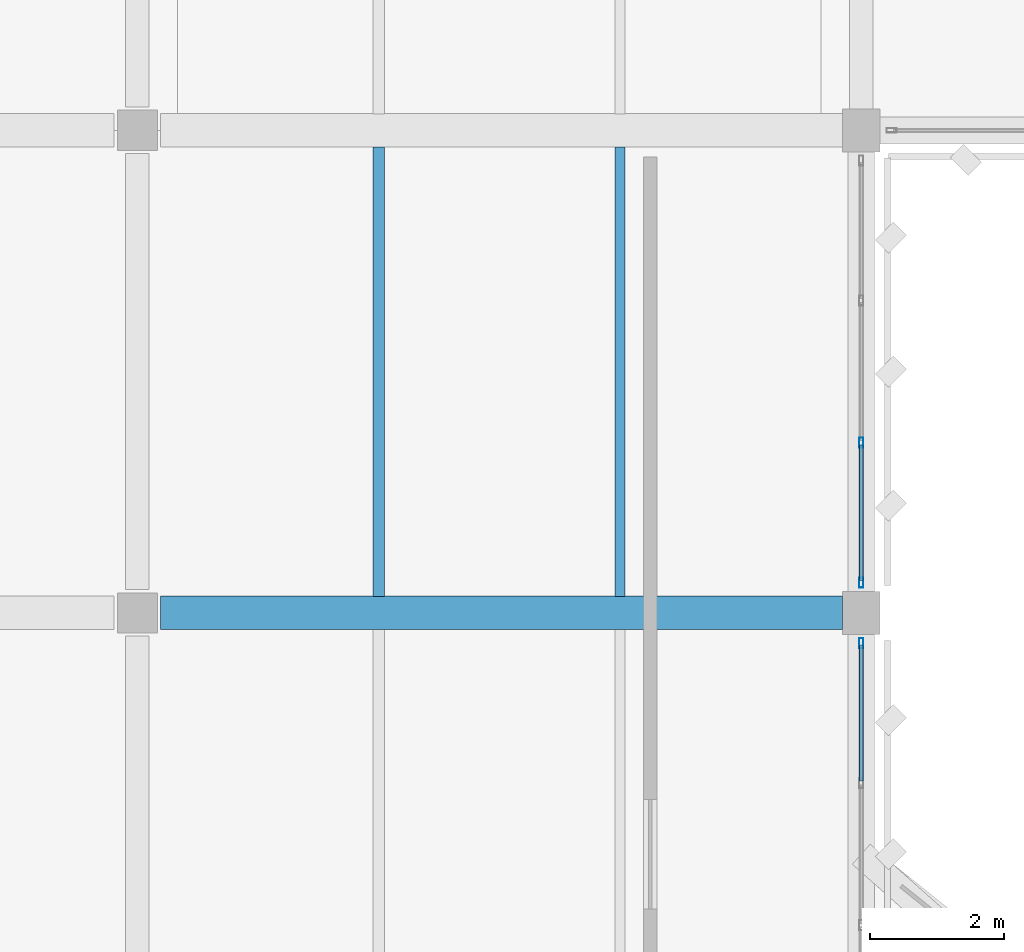
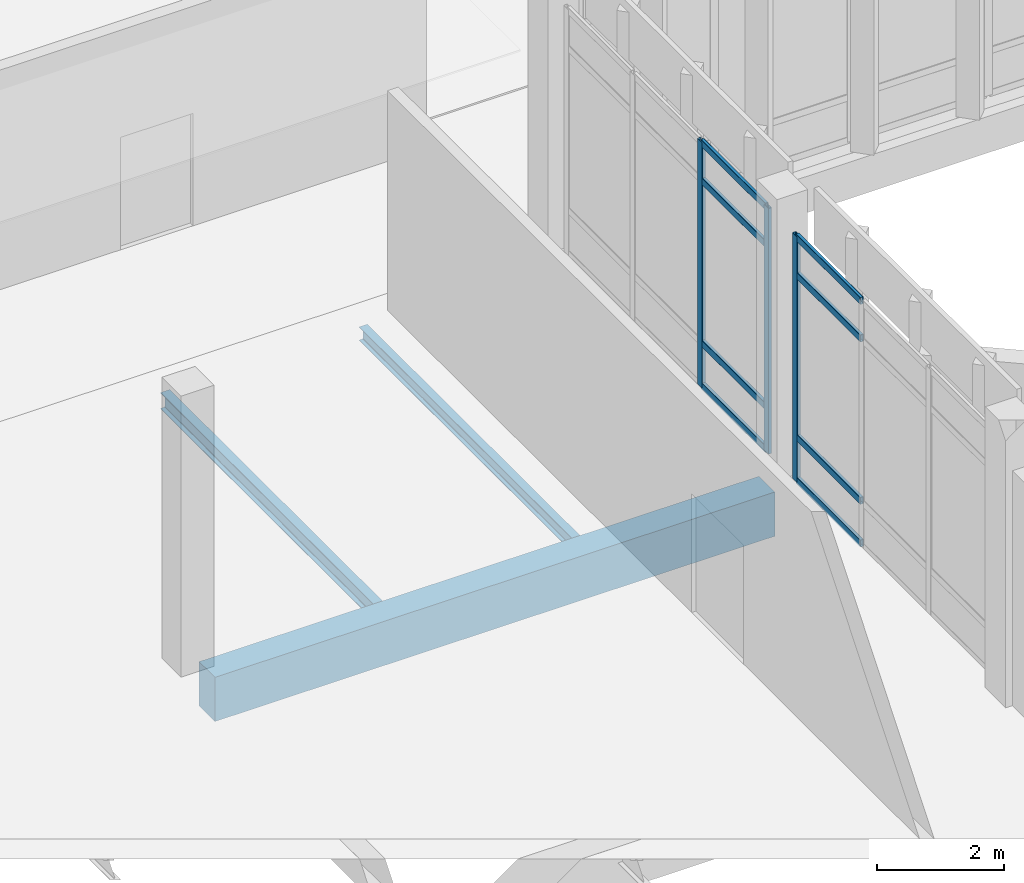
# One storey, part 63 of 180: 11 members, 3 beams, 2 elements without a shape of their own.
"""IFC4 building model written with IfcOpenShell, lengths in metres."""

from ifc_helpers import new_model, si_unit, direction, frame, origin, origin_2d, place, context, subcontext, project, spatial, rectangle, hollow_rectangle, i_section, extrude, material, material_profile, profile_set, type_object, element, aggregate, save


model = new_model("IFC4")

# Units and contexts
model_context = context("Model", 3, precision=1e-05, world=origin(), true_north=direction((0.0, 1.0)))
body_context = subcontext(model_context, "Body", "Model", "MODEL_VIEW")
ifc_project = project(units=[si_unit("LENGTHUNIT", "METRE"), si_unit("AREAUNIT", "SQUARE_METRE"), si_unit("VOLUMEUNIT", "CUBIC_METRE"), si_unit("PLANEANGLEUNIT", "RADIAN"), si_unit("MASSUNIT", "GRAM", prefix="KILO")], contexts=[model_context])

# Site, building, storey
site_placement = place(None, origin())
site = spatial("IfcSite", under=ifc_project, at=site_placement, CompositionType="ELEMENT")
building_placement = place(site_placement, origin())
building = spatial("IfcBuilding", under=site, at=building_placement, Name="Lusvemor Sports Hall", CompositionType="ELEMENT")
storey_placement = place(building_placement, frame((0.0, 0.0, 5.39990234375)))
storey = spatial("IfcBuildingStorey", under=building, at=storey_placement, Name="L01", CompositionType="ELEMENT", Elevation=5.39990234375)

# Curtain wall, member
ifc_material_1 = material(Name="Thermally broken bronze-anodized aluminium", Category="aluminium")
curtain_wall_type = type_object("IfcCurtainWallType", Name="CW_WING_B", PredefinedType="NOTDEFINED", material=ifc_material_1)
curtain_wall_1_placement = place(storey_placement, origin())
curtain_wall_1 = element("IfcCurtainWall", 1, at=curtain_wall_1_placement, inside=storey, type_object=curtain_wall_type, Name="Curtain Wall CW-L01-E-4-5", PredefinedType="NOTDEFINED")
ifc_material_2 = material(Name="Thermally broken bronze-anodized aluminium", Category="aluminium")
ifc_material_profile_1 = material_profile(ifc_material_2, hollow_rectangle(XDim=0.06494140625, YDim=0.14990234375, WallThickness=0.00390625, InnerFilletRadius=0.00390625, OuterFilletRadius=0.008056640625, at=origin_2d()), Name="CWMUL150x65x4")
ifc_profile_set_1 = profile_set([ifc_material_profile_1], Name="Thermally broken bronze-anodized aluminium")
member_type_1 = type_object("IfcMemberType", Name="CW_MUL_B", PredefinedType="MULLION", material=ifc_profile_set_1)
member_1_placement = place(storey_placement, frame((21.60009765625, 89.547607421875, 0.0), z_axis=(0.0, 0.0, 1.0), x_axis=(1.0, 0.0, 0.0)))
member_1 = element("IfcMember", 2, at=member_1_placement, type_object=member_type_1, Name="CW02 mullion 1", PredefinedType="MULLION", context=body_context, shape_type="SweptSolid", body=[
    extrude(hollow_rectangle(XDim=0.06494140625, YDim=0.14990234375, WallThickness=0.00390625, InnerFilletRadius=0.00390625, OuterFilletRadius=0.008056640625, at=origin_2d()), origin(), (0.0, 0.0, 1.0), 4.72021484375),
])

# Curtain wall, members
curtain_wall_2_placement = place(storey_placement, origin())
curtain_wall_2 = element("IfcCurtainWall", 3, at=curtain_wall_2_placement, inside=storey, type_object=curtain_wall_type, Name="Curtain Wall CW-L01-E-4-6", PredefinedType="NOTDEFINED")
member_2_placement = place(storey_placement, frame((21.60009765625, 92.5400390625, 0.0), z_axis=(0.0, 0.0, 1.0), x_axis=(1.0, 0.0, 0.0)))
member_2 = element("IfcMember", 4, at=member_2_placement, type_object=member_type_1, Name="CW02 mullion 3", PredefinedType="MULLION", context=body_context, shape_type="SweptSolid", body=[
    extrude(hollow_rectangle(XDim=0.06494140625, YDim=0.14990234375, WallThickness=0.00390625, InnerFilletRadius=0.00390625, OuterFilletRadius=0.008056640625, at=origin_2d()), origin(), (0.0, 0.0, 1.0), 4.72021484375),
])
member_3_placement = place(storey_placement, frame((21.60009765625, 90.452392578125, 0.0), z_axis=(0.0, 0.0, 1.0), x_axis=(1.0, 0.0, 0.0)))
member_3 = element("IfcMember", 5, at=member_3_placement, type_object=member_type_1, Name="CW02 mullion 4", PredefinedType="MULLION", context=body_context, shape_type="SweptSolid", body=[
    extrude(hollow_rectangle(XDim=0.06494140625, YDim=0.14990234375, WallThickness=0.00390625, InnerFilletRadius=0.00390625, OuterFilletRadius=0.008056640625, at=origin_2d()), origin(), (0.0, 0.0, 1.0), 4.72021484375),
])

# Member
ifc_material_3 = material(Name="Thermally broken bronze-anodized aluminium", Category="aluminium")
ifc_material_profile_2 = material_profile(ifc_material_3, hollow_rectangle(XDim=0.06005859375, YDim=0.135009765625, WallThickness=0.00390625, InnerFilletRadius=0.00390625, OuterFilletRadius=0.008056640625, at=origin_2d()), Name="CWTRN135x60x4")
ifc_profile_set_2 = profile_set([ifc_material_profile_2], Name="Thermally broken bronze-anodized aluminium")
member_type_2 = type_object("IfcMemberType", Name="CW_TRN_B", PredefinedType="USERDEFINED", material=ifc_profile_set_2)
member_4_placement = place(storey_placement, frame((21.60009765625, 89.514892578125, 0.030029296875), z_axis=(0.0, -1.0, 0.0), x_axis=(1.0, 0.0, 0.0)))
member_4 = element("IfcMember", 6, at=member_4_placement, type_object=member_type_2, Name="CW02 transom 1.1", ObjectType="TRANSOM", PredefinedType="USERDEFINED", context=body_context, shape_type="SweptSolid", body=[
    extrude(hollow_rectangle(XDim=0.06005859375, YDim=0.135009765625, WallThickness=0.00390625, InnerFilletRadius=0.00390625, OuterFilletRadius=0.008056640625, at=origin_2d()), origin(), (0.0, 0.0, 1.0), 2.0224609375),
])

member_5_placement = place(storey_placement, frame((21.60009765625, 89.514892578125, 0.85009765625), z_axis=(0.0, -1.0, 0.0), x_axis=(1.0, 0.0, 0.0)))
member_5 = element("IfcMember", 7, at=member_5_placement, type_object=member_type_2, Name="CW02 transom 1.2", ObjectType="TRANSOM", PredefinedType="USERDEFINED", context=body_context, shape_type="SweptSolid", body=[
    extrude(hollow_rectangle(XDim=0.06005859375, YDim=0.135009765625, WallThickness=0.00390625, InnerFilletRadius=0.00390625, OuterFilletRadius=0.008056640625, at=origin_2d()), origin(), (0.0, 0.0, 1.0), 2.0224609375),
])

member_6_placement = place(storey_placement, frame((21.60009765625, 89.514892578125, 3.97021484375), z_axis=(0.0, -1.0, 0.0), x_axis=(1.0, 0.0, 0.0)))
member_6 = element("IfcMember", 8, at=member_6_placement, type_object=member_type_2, Name="CW02 transom 1.3", ObjectType="TRANSOM", PredefinedType="USERDEFINED", context=body_context, shape_type="SweptSolid", body=[
    extrude(hollow_rectangle(XDim=0.06005859375, YDim=0.135009765625, WallThickness=0.00390625, InnerFilletRadius=0.00390625, OuterFilletRadius=0.008056640625, at=origin_2d()), origin(), (0.0, 0.0, 1.0), 2.0224609375),
])

member_7_placement = place(storey_placement, frame((21.60009765625, 89.514892578125, 4.690185546875), z_axis=(0.0, -1.0, 0.0), x_axis=(1.0, 0.0, 0.0)))
member_7 = element("IfcMember", 9, at=member_7_placement, type_object=member_type_2, Name="CW02 transom 1.4", ObjectType="TRANSOM", PredefinedType="USERDEFINED", context=body_context, shape_type="SweptSolid", body=[
    extrude(hollow_rectangle(XDim=0.06005859375, YDim=0.135009765625, WallThickness=0.00390625, InnerFilletRadius=0.00390625, OuterFilletRadius=0.008056640625, at=origin_2d()), origin(), (0.0, 0.0, 1.0), 2.0224609375),
])

aggregate(curtain_wall_1, [member_1, member_4, member_5, member_6, member_7])

member_8_placement = place(storey_placement, frame((21.60009765625, 92.507568359375, 0.030029296875), z_axis=(0.0, -1.0, 0.0), x_axis=(1.0, 0.0, 0.0)))
member_8 = element("IfcMember", 10, at=member_8_placement, type_object=member_type_2, Name="CW02 transom 3.1", ObjectType="TRANSOM", PredefinedType="USERDEFINED", context=body_context, shape_type="SweptSolid", body=[
    extrude(hollow_rectangle(XDim=0.06005859375, YDim=0.135009765625, WallThickness=0.00390625, InnerFilletRadius=0.00390625, OuterFilletRadius=0.008056640625, at=origin_2d()), origin(), (0.0, 0.0, 1.0), 2.0224609375),
])

member_9_placement = place(storey_placement, frame((21.60009765625, 92.507568359375, 0.85009765625), z_axis=(0.0, -1.0, 0.0), x_axis=(1.0, 0.0, 0.0)))
member_9 = element("IfcMember", 11, at=member_9_placement, type_object=member_type_2, Name="CW02 transom 3.2", ObjectType="TRANSOM", PredefinedType="USERDEFINED", context=body_context, shape_type="SweptSolid", body=[
    extrude(hollow_rectangle(XDim=0.06005859375, YDim=0.135009765625, WallThickness=0.00390625, InnerFilletRadius=0.00390625, OuterFilletRadius=0.008056640625, at=origin_2d()), origin(), (0.0, 0.0, 1.0), 2.0224609375),
])

member_10_placement = place(storey_placement, frame((21.60009765625, 92.507568359375, 3.97021484375), z_axis=(0.0, -1.0, 0.0), x_axis=(1.0, 0.0, 0.0)))
member_10 = element("IfcMember", 12, at=member_10_placement, type_object=member_type_2, Name="CW02 transom 3.3", ObjectType="TRANSOM", PredefinedType="USERDEFINED", context=body_context, shape_type="SweptSolid", body=[
    extrude(hollow_rectangle(XDim=0.06005859375, YDim=0.135009765625, WallThickness=0.00390625, InnerFilletRadius=0.00390625, OuterFilletRadius=0.008056640625, at=origin_2d()), origin(), (0.0, 0.0, 1.0), 2.0224609375),
])

member_11_placement = place(storey_placement, frame((21.60009765625, 92.507568359375, 4.690185546875), z_axis=(0.0, -1.0, 0.0), x_axis=(1.0, 0.0, 0.0)))
member_11 = element("IfcMember", 13, at=member_11_placement, type_object=member_type_2, Name="CW02 transom 3.4", ObjectType="TRANSOM", PredefinedType="USERDEFINED", context=body_context, shape_type="SweptSolid", body=[
    extrude(hollow_rectangle(XDim=0.06005859375, YDim=0.135009765625, WallThickness=0.00390625, InnerFilletRadius=0.00390625, OuterFilletRadius=0.008056640625, at=origin_2d()), origin(), (0.0, 0.0, 1.0), 2.0224609375),
])

aggregate(curtain_wall_2, [member_2, member_3, member_8, member_9, member_10, member_11])

# Beams
ifc_material_4 = material(Name="Concrete C40/50", Category="concrete")
ifc_material_profile_3 = material_profile(ifc_material_4, rectangle(XDim=0.5, YDim=0.85009765625, at=origin_2d()), Name="RC500x850")
ifc_profile_set_3 = profile_set([ifc_material_profile_3], Name="Concrete C40/50")
beam_type_1 = type_object("IfcBeamType", Name="GIRD_RC_850", PredefinedType="T_BEAM", material=ifc_profile_set_3)
beam_1_placement = place(storey_placement, frame((11.14599609375, 90.0, -0.684814453125), z_axis=(1.0, 0.0, 0.0), x_axis=(0.0, 1.0, 0.0)))
element("IfcBeam", 14, at=beam_1_placement, inside=storey, type_object=beam_type_1, Name="Beam L01 M:2-3", PredefinedType="T_BEAM", context=body_context, shape_type="SweptSolid", body=[
    extrude(rectangle(XDim=0.5, YDim=0.85009765625, at=origin_2d()), origin(), (0.0, 0.0, 1.0), 10.177978515625),
])
ifc_material_5 = material(Name="Steel S355", Category="steel")
ifc_material_profile_4 = material_profile(ifc_material_5, i_section(OverallWidth=0.14794921875, OverallDepth=0.26611328125, WebThickness=0.007568359375, FlangeThickness=0.012939453125, FilletRadius=0.012939453125, at=origin_2d()), Name="W250x44.8")
ifc_profile_set_4 = profile_set([ifc_material_profile_4], Name="Steel S355")
beam_type_2 = type_object("IfcBeamType", Name="JOIST_ST_250M", PredefinedType="JOIST", material=ifc_profile_set_4)
beam_2_placement = place(storey_placement, frame((18.0, 90.24609375, -0.39697265625), z_axis=(0.0, 1.0, 0.0), x_axis=(-1.0, 0.0, 0.0)))
element("IfcBeam", 15, at=beam_2_placement, inside=storey, type_object=beam_type_2, Name="Secondary Joist L01 2-3/M-N #2", PredefinedType="JOIST", context=body_context, shape_type="SweptSolid", body=[
    extrude(i_section(OverallWidth=0.14794921875, OverallDepth=0.26611328125, WebThickness=0.007568359375, FlangeThickness=0.012939453125, FilletRadius=0.012939453125, at=origin_2d()), origin(), (0.0, 0.0, 1.0), 6.7080078125),
])
ifc_material_6 = material(Name="Steel S355", Category="steel")
ifc_material_profile_5 = material_profile(ifc_material_6, i_section(OverallWidth=0.1669921875, OverallDepth=0.31689453125, WebThickness=0.007568359375, FlangeThickness=0.01318359375, FilletRadius=0.014892578125, at=origin_2d()), Name="W310x52.0")
ifc_profile_set_5 = profile_set([ifc_material_profile_5], Name="Steel S355")
beam_type_3 = type_object("IfcBeamType", Name="JOIST_ST_310M", PredefinedType="JOIST", material=ifc_profile_set_5)
beam_3_placement = place(storey_placement, frame((14.39990234375, 90.24609375, -0.42236328125), z_axis=(0.0, 1.0, 0.0), x_axis=(-1.0, 0.0, 0.0)))
element("IfcBeam", 16, at=beam_3_placement, inside=storey, type_object=beam_type_3, Name="Secondary Joist L01 2-3/M-N #1", PredefinedType="JOIST", context=body_context, shape_type="SweptSolid", body=[
    extrude(i_section(OverallWidth=0.1669921875, OverallDepth=0.31689453125, WebThickness=0.007568359375, FlangeThickness=0.01318359375, FilletRadius=0.014892578125, at=origin_2d()), origin(), (0.0, 0.0, 1.0), 6.7080078125),
])

save(model, "model.ifc")
